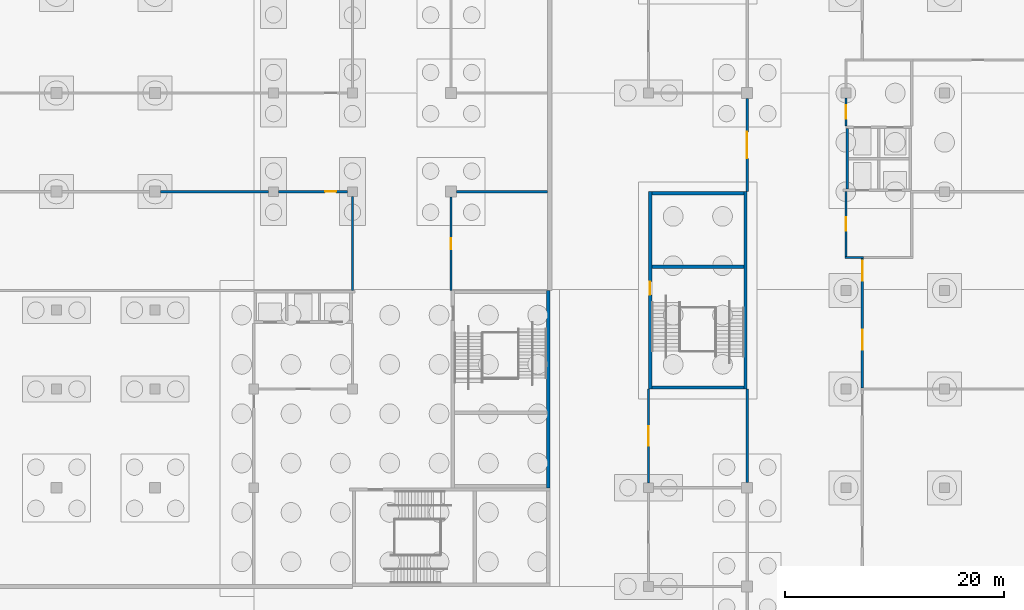
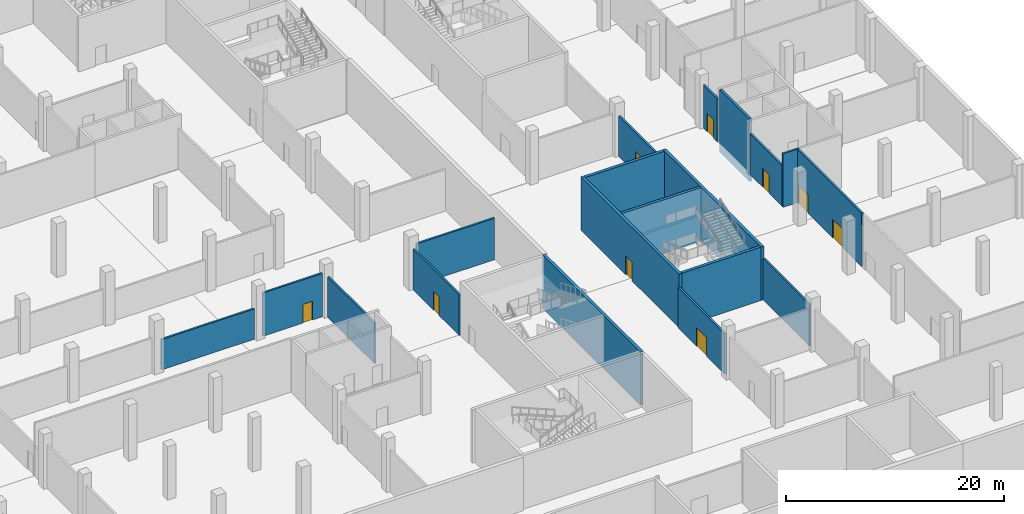
# One storey, part 18 of 42: 19 walls, 9 doors, 9 openings.
"""IFC4 building model written with IfcOpenShell, lengths in metres."""

from ifc_helpers import new_model, si_unit, direction, frame, frame_2d, origin, place, context, subcontext, project, spatial, rectangle, extrude, material, layer, layer_set, type_object, element, fill, save


model = new_model("IFC4")

# Units and contexts
model_context = context("Model", 3, precision=1e-05, world=origin(), true_north=direction((0.0, 1.0)))
body_context = subcontext(model_context, "Body", "Model", "MODEL_VIEW")
ifc_project = project(units=[si_unit("LENGTHUNIT", "METRE"), si_unit("AREAUNIT", "SQUARE_METRE"), si_unit("VOLUMEUNIT", "CUBIC_METRE"), si_unit("PLANEANGLEUNIT", "RADIAN"), si_unit("MASSUNIT", "GRAM", prefix="KILO")], contexts=[model_context])

# Site, building, storey
site_placement = place(None, origin())
site = spatial("IfcSite", under=ifc_project, at=site_placement, CompositionType="ELEMENT")
building_placement = place(site_placement, origin())
building = spatial("IfcBuilding", under=site, at=building_placement, Name="Silverbay Arena", CompositionType="ELEMENT")
storey_placement = place(building_placement, frame((0.0, 0.0, -6.0)))
storey = spatial("IfcBuildingStorey", under=building, at=storey_placement, Name="B1", CompositionType="ELEMENT", Elevation=-6.0)

# Wall, opening, door
ifc_material_1 = material(Name="Concrete Grade C45", Category="concrete")
ifc_layer_1 = layer(ifc_material_1, 0.300048828125)
ifc_layer_set_1 = layer_set([ifc_layer_1], Name="Concrete Grade C45")
wall_type_1 = type_object("IfcWallType", Name="Core wall RC 300 EI 240", PredefinedType="SHEAR", material=ifc_layer_set_1)
wall_1_placement = place(storey_placement, frame((198.14990234375, 54.0, 0.0), z_axis=(0.0, 0.0, 1.0), x_axis=(0.0, 1.0, 0.0)))
wall_1 = element("IfcWall", 1, at=wall_1_placement, inside=storey, type_object=wall_type_1, Name="Core wall ST-E1 B1 door side", PredefinedType="SHEAR", context=body_context, shape_type="SweptSolid", body=[
    extrude(rectangle(XDim=18.0, YDim=0.300048828125, at=frame_2d((9.0, 0.0))), origin(), (0.0, 0.0, 1.0), 6.0),
])
opening_1_placement = place(wall_1_placement, frame((8.60009765625, 0.0, 0.0)))
opening_1 = element("IfcOpeningElement", 2, at=opening_1_placement, cuts=wall_1, Name="Opening B1-086", PredefinedType="OPENING", context=body_context, shape_type="SweptSolid", body=[
    extrude(rectangle(XDim=1.199951171875, YDim=2.10009765625, at=frame_2d((0.60009765625, 1.050048828125))), frame((0.0, 0.16015625, 0.0), z_axis=(0.0, -1.0, 0.0), x_axis=(1.0, 0.0, 0.0)), (0.0, 0.0, 1.0), 0.320068359375),
])
ifc_material_2 = material(Name="Steel fire door", Category="steel")
door_type_1 = type_object("IfcDoorType", Name="Stair door 1200 x 2100 fire door", OperationType="SINGLE_SWING_LEFT", PredefinedType="DOOR", material=ifc_material_2)
door_1_placement = place(opening_1_placement, frame((1.199951171875, 0.0, 0.0), z_axis=(0.0, 0.0, 1.0), x_axis=(-1.0, 0.0, 0.0)))
door_1 = element("IfcDoor", 3, at=door_1_placement, inside=storey, type_object=door_type_1, Name="Stair door ST-E1 B1", OperationType="SINGLE_SWING_LEFT", OverallHeight=2.10009765625, OverallWidth=1.199951171875, PredefinedType="DOOR", context=body_context, shape_type="SweptSolid", body=[
    extrude(rectangle(XDim=1.199951171875, YDim=2.10009765625, at=frame_2d((0.60009765625, 1.050048828125))), frame((0.0, 0.02490234375, 0.0), z_axis=(0.0, -1.0, 0.0), x_axis=(1.0, 0.0, 0.0)), (0.0, 0.0, 1.0), 0.050048828125),
])
fill(opening_1, door_1)

# Walls
wall_2_placement = place(storey_placement, frame((206.85009765625, 54.0, 0.0), z_axis=(0.0, 0.0, 1.0), x_axis=(0.0, 1.0, 0.0)))
element("IfcWall", 4, at=wall_2_placement, inside=storey, type_object=wall_type_1, Name="Core wall ST-E1 B1 far side", PredefinedType="SHEAR", context=body_context, shape_type="SweptSolid", body=[
    extrude(rectangle(XDim=18.0, YDim=0.300048828125, at=frame_2d((9.0, 0.0))), origin(), (0.0, 0.0, 1.0), 6.0),
])
for number, where, z_axis, x_axis, name in (
    (5, (198.300048828125, 54.14990234375, 0.0), (0.0, 0.0, 1.0), (1.0, 0.0, 0.0), "Core wall ST-E1 B1 end 1"),
    (6, (198.300048828125, 71.85009765625, 0.0), (0.0, 0.0, 1.0), (1.0, 0.0, 0.0), "Core wall ST-E1 B1 end 2"),
    (7, (198.300048828125, 65.14990234375, 0.0), (0.0, 0.0, 1.0), (1.0, 0.0, 0.0), "Core wall ST-E1 B1 stair enclosure"),
):
    element("IfcWall", number, at=place(storey_placement, frame(where, z_axis=z_axis, x_axis=x_axis)), inside=storey, type_object=wall_type_1, Name=name, PredefinedType="SHEAR", context=body_context, shape_type="SweptSolid", body=[
        extrude(rectangle(XDim=8.39990234375, YDim=0.300048828125, at=frame_2d((4.199951171875, 0.0))), origin(), (0.0, 0.0, 1.0), 6.0),
    ])
wall_3_placement = place(storey_placement, frame((188.85009765625, 63.0, 0.0), z_axis=(0.0, 0.0, 1.0), x_axis=(0.0, -1.0, 0.0)))
element("IfcWall", 8, at=wall_3_placement, inside=storey, type_object=wall_type_1, Name="Core wall ST-SE2 B1 far side", PredefinedType="SHEAR", context=body_context, shape_type="SweptSolid", body=[
    extrude(rectangle(XDim=18.0, YDim=0.300048828125, at=frame_2d((9.0, 0.0))), origin(), (0.0, 0.0, 1.0), 6.0),
])
ifc_material_3 = material(Name="Concrete Grade C45", Category="concrete")
ifc_layer_2 = layer(ifc_material_3, 0.25)
ifc_layer_set_2 = layer_set([ifc_layer_2], Name="Concrete Grade C45")
wall_type_2 = type_object("IfcWallType", Name="Lift shaft wall RC 250 EI 240", PredefinedType="SHEAR", material=ifc_layer_set_2)
wall_4_placement = place(storey_placement, frame((216.125, 72.25, -1.0), z_axis=(0.0, 0.0, 1.0), x_axis=(0.0, 1.0, 0.0)))
element("IfcWall", 9, at=wall_4_placement, inside=storey, type_object=wall_type_2, Name="Lift shaft wall LB-EG B1 end", PredefinedType="SHEAR", context=body_context, shape_type="SweptSolid", body=[
    extrude(rectangle(XDim=5.5, YDim=0.25, at=frame_2d((2.75, 0.0))), origin(), (0.0, 0.0, 1.0), 7.0),
])
ifc_material_4 = material(Name="Masonry blockwork partition", Category="masonry")
ifc_layer_3 = layer(ifc_material_4, 0.199951171875)
ifc_layer_set_3 = layer_set([ifc_layer_3], Name="Masonry blockwork partition")
wall_type_3 = type_object("IfcWallType", Name="Partition 200 EI 240", PredefinedType="PARTITIONING", material=ifc_layer_set_3)
wall_5_placement = place(storey_placement, frame((215.89990234375, 66.0, 0.0), z_axis=(0.0, 0.0, 1.0), x_axis=(1.0, 0.0, 0.0)))
element("IfcWall", 10, at=wall_5_placement, inside=storey, type_object=wall_type_3, Name="Partition wall", PredefinedType="PARTITIONING", context=body_context, shape_type="SweptSolid", body=[
    extrude(rectangle(XDim=1.7001953125, YDim=0.199951171875, at=frame_2d((0.85009765625, 0.0))), origin(), (0.0, 0.0, 1.0), 6.0),
])

# Wall, opening, door
wall_6_placement = place(storey_placement, frame((164.25, 72.0, 0.0), z_axis=(0.0, 0.0, 1.0), x_axis=(1.0, 0.0, 0.0)))
wall_6 = element("IfcWall", 11, at=wall_6_placement, inside=storey, type_object=wall_type_3, Name="Partition wall", PredefinedType="PARTITIONING", context=body_context, shape_type="SweptSolid", body=[
    extrude(rectangle(XDim=6.300048828125, YDim=0.199951171875, at=frame_2d((3.14990234375, 0.0))), origin(), (0.0, 0.0, 1.0), 4.85009765625),
])
opening_2_placement = place(wall_6_placement, frame((4.25, 0.0, 0.0)))
opening_2 = element("IfcOpeningElement", 12, at=opening_2_placement, cuts=wall_6, Name="Opening B1-045", PredefinedType="OPENING", context=body_context, shape_type="SweptSolid", body=[
    extrude(rectangle(XDim=1.0, YDim=2.10009765625, at=frame_2d((0.5, 1.050048828125))), frame((0.0, 0.10986328125, 0.0), z_axis=(0.0, -1.0, 0.0), x_axis=(1.0, 0.0, 0.0)), (0.0, 0.0, 1.0), 0.219970703125),
])
ifc_material_5 = material(Name="Steel faced timber", Category="steel")
door_type_2 = type_object("IfcDoorType", Name="Single leaf door 1000 x 2100 FD30S", OperationType="SINGLE_SWING_LEFT", PredefinedType="DOOR", material=ifc_material_5)
door_2_placement = place(opening_2_placement, frame((1.0, 0.0, 0.0), z_axis=(0.0, 0.0, 1.0), x_axis=(-1.0, 0.0, 0.0)))
door_2 = element("IfcDoor", 13, at=door_2_placement, inside=storey, type_object=door_type_2, Name="Door B1-045", OperationType="SINGLE_SWING_LEFT", OverallHeight=2.10009765625, OverallWidth=1.0, PredefinedType="DOOR", context=body_context, shape_type="SweptSolid", body=[
    extrude(rectangle(XDim=1.0, YDim=2.10009765625, at=frame_2d((0.5, 1.050048828125))), frame((0.0, 0.02490234375, 0.0), z_axis=(0.0, -1.0, 0.0), x_axis=(1.0, 0.0, 0.0)), (0.0, 0.0, 1.0), 0.050048828125),
])
fill(opening_2, door_2)

# Walls
wall_7_placement = place(storey_placement, frame((153.5, 72.0, 0.0), z_axis=(0.0, 0.0, 1.0), x_axis=(1.0, 0.0, 0.0)))
element("IfcWall", 14, at=wall_7_placement, inside=storey, type_object=wall_type_3, Name="Partition wall", PredefinedType="PARTITIONING", context=body_context, shape_type="SweptSolid", body=[
    extrude(rectangle(XDim=9.85009765625, YDim=0.199951171875, at=frame_2d((4.925048828125, 0.0))), origin(), (0.0, 0.0, 1.0), 3.39990234375),
])
wall_8_placement = place(storey_placement, frame((180.5, 72.0, 0.0), z_axis=(0.0, 0.0, 1.0), x_axis=(1.0, 0.0, 0.0)))
element("IfcWall", 15, at=wall_8_placement, inside=storey, type_object=wall_type_3, Name="Partition wall", PredefinedType="PARTITIONING", context=body_context, shape_type="SweptSolid", body=[
    extrude(rectangle(XDim=8.300048828125, YDim=0.199951171875, at=frame_2d((4.14990234375, 0.0))), origin(), (0.0, 0.0, 1.0), 4.64990234375),
])
wall_9_placement = place(storey_placement, frame((171.0, 63.0, 0.0), z_axis=(0.0, 0.0, 1.0), x_axis=(0.0, 1.0, 0.0)))
element("IfcWall", 16, at=wall_9_placement, inside=storey, type_object=wall_type_3, Name="Partition wall", PredefinedType="PARTITIONING", context=body_context, shape_type="SweptSolid", body=[
    extrude(rectangle(XDim=8.550048828125, YDim=0.199951171875, at=frame_2d((4.27490234375, 0.0))), origin(), (0.0, 0.0, 1.0), 4.550048828125),
])

# Wall, opening, door
wall_10_placement = place(storey_placement, frame((180.0, 63.0, 0.0), z_axis=(0.0, 0.0, 1.0), x_axis=(0.0, 1.0, 0.0)))
wall_10 = element("IfcWall", 17, at=wall_10_placement, inside=storey, type_object=wall_type_3, Name="Partition wall", PredefinedType="PARTITIONING", context=body_context, shape_type="SweptSolid", body=[
    extrude(rectangle(XDim=8.5, YDim=0.199951171875, at=frame_2d((4.25, 0.0))), origin(), (0.0, 0.0, 1.0), 4.550048828125),
])
opening_3_placement = place(wall_10_placement, frame((3.75, 0.0, 0.0)))
opening_3 = element("IfcOpeningElement", 18, at=opening_3_placement, cuts=wall_10, Name="Opening B1-046", PredefinedType="OPENING", context=body_context, shape_type="SweptSolid", body=[
    extrude(rectangle(XDim=1.0, YDim=2.10009765625, at=frame_2d((0.5, 1.050048828125))), frame((0.0, 0.10986328125, 0.0), z_axis=(0.0, -1.0, 0.0), x_axis=(1.0, 0.0, 0.0)), (0.0, 0.0, 1.0), 0.219970703125),
])
door_3_placement = place(opening_3_placement, frame((1.0, 0.0, 0.0), z_axis=(0.0, 0.0, 1.0), x_axis=(-1.0, 0.0, 0.0)))
door_3 = element("IfcDoor", 19, at=door_3_placement, inside=storey, type_object=door_type_2, Name="Door B1-046", OperationType="SINGLE_SWING_LEFT", OverallHeight=2.10009765625, OverallWidth=1.0, PredefinedType="DOOR", context=body_context, shape_type="SweptSolid", body=[
    extrude(rectangle(XDim=1.0, YDim=2.10009765625, at=frame_2d((0.5, 1.050048828125))), frame((0.0, 0.02490234375, 0.0), z_axis=(0.0, -1.0, 0.0), x_axis=(1.0, 0.0, 0.0)), (0.0, 0.0, 1.0), 0.050048828125),
])
fill(opening_3, door_3)

wall_11_placement = place(storey_placement, frame((198.0, 45.449951171875, 0.0), z_axis=(0.0, 0.0, 1.0), x_axis=(0.0, 1.0, 0.0)))
wall_11 = element("IfcWall", 20, at=wall_11_placement, inside=storey, type_object=wall_type_3, Name="Partition wall", PredefinedType="PARTITIONING", context=body_context, shape_type="SweptSolid", body=[
    extrude(rectangle(XDim=8.550048828125, YDim=0.199951171875, at=frame_2d((4.27490234375, 0.0))), origin(), (0.0, 0.0, 1.0), 4.550048828125),
])
opening_4_placement = place(wall_11_placement, frame((3.375, 0.0, 0.0)))
opening_4 = element("IfcOpeningElement", 21, at=opening_4_placement, cuts=wall_11, Name="Opening B1-017", PredefinedType="OPENING", context=body_context, shape_type="SweptSolid", body=[
    extrude(rectangle(XDim=1.800048828125, YDim=2.10009765625, at=frame_2d((0.89990234375, 1.050048828125))), frame((0.0, 0.10986328125, 0.0), z_axis=(0.0, -1.0, 0.0), x_axis=(1.0, 0.0, 0.0)), (0.0, 0.0, 1.0), 0.219970703125),
])
ifc_material_6 = material(Name="Steel faced timber", Category="steel")
door_type_3 = type_object("IfcDoorType", Name="Double leaf door 1800 x 2100 FD120", OperationType="DOUBLE_DOOR_DOUBLE_SWING", PredefinedType="DOOR", material=ifc_material_6)
door_4_placement = place(opening_4_placement, frame((1.800048828125, 0.0, 0.0), z_axis=(0.0, 0.0, 1.0), x_axis=(-1.0, 0.0, 0.0)))
door_4 = element("IfcDoor", 22, at=door_4_placement, inside=storey, type_object=door_type_3, Name="Door B1-017", OperationType="DOUBLE_DOOR_DOUBLE_SWING", OverallHeight=2.10009765625, OverallWidth=1.800048828125, PredefinedType="DOOR", context=body_context, shape_type="SweptSolid", body=[
    extrude(rectangle(XDim=1.800048828125, YDim=2.10009765625, at=frame_2d((0.89990234375, 1.050048828125))), frame((0.0, 0.02490234375, 0.0), z_axis=(0.0, -1.0, 0.0), x_axis=(1.0, 0.0, 0.0)), (0.0, 0.0, 1.0), 0.050048828125),
])
fill(opening_4, door_4)

# Wall
wall_12_placement = place(storey_placement, frame((207.0, 45.5, 0.0), z_axis=(0.0, 0.0, 1.0), x_axis=(0.0, 1.0, 0.0)))
element("IfcWall", 23, at=wall_12_placement, inside=storey, type_object=wall_type_3, Name="Partition wall", PredefinedType="PARTITIONING", context=body_context, shape_type="SweptSolid", body=[
    extrude(rectangle(XDim=8.5, YDim=0.199951171875, at=frame_2d((4.25, 0.0))), origin(), (0.0, 0.0, 1.0), 4.64990234375),
])

# Wall, opening, door
wall_13_placement = place(storey_placement, frame((207.0, 72.0, 0.0), z_axis=(0.0, 0.0, 1.0), x_axis=(0.0, 1.0, 0.0)))
wall_13 = element("IfcWall", 24, at=wall_13_placement, inside=storey, type_object=wall_type_3, Name="Partition wall", PredefinedType="PARTITIONING", context=body_context, shape_type="SweptSolid", body=[
    extrude(rectangle(XDim=8.5, YDim=0.199951171875, at=frame_2d((4.25, 0.0))), origin(), (0.0, 0.0, 1.0), 4.550048828125),
])
opening_5_placement = place(wall_13_placement, frame((3.050048828125, 0.0, 0.0)))
opening_5 = element("IfcOpeningElement", 25, at=opening_5_placement, cuts=wall_13, Name="Opening B1-058", PredefinedType="OPENING", context=body_context, shape_type="SweptSolid", body=[
    extrude(rectangle(XDim=2.39990234375, YDim=2.39990234375, at=frame_2d((1.199951171875, 1.199951171875))), frame((0.0, 0.10986328125, 0.0), z_axis=(0.0, -1.0, 0.0), x_axis=(1.0, 0.0, 0.0)), (0.0, 0.0, 1.0), 0.219970703125),
])
ifc_material_7 = material(Name="Steel faced timber", Category="steel")
door_type_4 = type_object("IfcDoorType", Name="Double leaf door 2400 x 2400 FD120", OperationType="DOUBLE_DOOR_DOUBLE_SWING", PredefinedType="DOOR", material=ifc_material_7)
door_5_placement = place(opening_5_placement, frame((2.39990234375, 0.0, 0.0), z_axis=(0.0, 0.0, 1.0), x_axis=(-1.0, 0.0, 0.0)))
door_5 = element("IfcDoor", 26, at=door_5_placement, inside=storey, type_object=door_type_4, Name="Door B1-058", OperationType="DOUBLE_DOOR_DOUBLE_SWING", OverallHeight=2.39990234375, OverallWidth=2.39990234375, PredefinedType="DOOR", context=body_context, shape_type="SweptSolid", body=[
    extrude(rectangle(XDim=2.39990234375, YDim=2.39990234375, at=frame_2d((1.199951171875, 1.199951171875))), frame((0.0, 0.02490234375, 0.0), z_axis=(0.0, -1.0, 0.0), x_axis=(1.0, 0.0, 0.0)), (0.0, 0.0, 1.0), 0.050048828125),
])
fill(opening_5, door_5)

wall_14_placement = place(storey_placement, frame((216.0, 66.10009765625, 0.0), z_axis=(0.0, 0.0, 1.0), x_axis=(0.0, 1.0, 0.0)))
wall_14 = element("IfcWall", 27, at=wall_14_placement, inside=storey, type_object=wall_type_3, Name="Partition wall", PredefinedType="PARTITIONING", context=body_context, shape_type="SweptSolid", body=[
    extrude(rectangle(XDim=5.89990234375, YDim=0.199951171875, at=frame_2d((2.949951171875, 0.0))), origin(), (0.0, 0.0, 1.0), 4.550048828125),
])
opening_6_placement = place(wall_14_placement, frame((2.35009765625, 0.0, 0.0)))
opening_6 = element("IfcOpeningElement", 28, at=opening_6_placement, cuts=wall_14, Name="Opening B1-055", PredefinedType="OPENING", context=body_context, shape_type="SweptSolid", body=[
    extrude(rectangle(XDim=1.199951171875, YDim=2.10009765625, at=frame_2d((0.60009765625, 1.050048828125))), frame((0.0, 0.10986328125, 0.0), z_axis=(0.0, -1.0, 0.0), x_axis=(1.0, 0.0, 0.0)), (0.0, 0.0, 1.0), 0.219970703125),
])
ifc_material_8 = material(Name="Steel faced timber", Category="steel")
door_type_5 = type_object("IfcDoorType", Name="Single leaf door 1200 x 2100 FD240", OperationType="SINGLE_SWING_LEFT", PredefinedType="DOOR", material=ifc_material_8)
door_6_placement = place(opening_6_placement, origin())
door_6 = element("IfcDoor", 29, at=door_6_placement, inside=storey, type_object=door_type_5, Name="Door B1-055", OperationType="SINGLE_SWING_LEFT", OverallHeight=2.10009765625, OverallWidth=1.199951171875, PredefinedType="DOOR", context=body_context, shape_type="SweptSolid", body=[
    extrude(rectangle(XDim=1.199951171875, YDim=2.10009765625, at=frame_2d((0.60009765625, 1.050048828125))), frame((0.0, 0.02490234375, 0.0), z_axis=(0.0, -1.0, 0.0), x_axis=(1.0, 0.0, 0.0)), (0.0, 0.0, 1.0), 0.050048828125),
])
fill(opening_6, door_6)

wall_15_placement = place(storey_placement, frame((216.0, 78.0, 0.0), z_axis=(0.0, 0.0, 1.0), x_axis=(0.0, 1.0, 0.0)))
wall_15 = element("IfcWall", 30, at=wall_15_placement, inside=storey, type_object=wall_type_3, Name="Partition wall", PredefinedType="PARTITIONING", context=body_context, shape_type="SweptSolid", body=[
    extrude(rectangle(XDim=2.550048828125, YDim=0.199951171875, at=frame_2d((1.27490234375, 0.0))), origin(), (0.0, 0.0, 1.0), 4.85009765625),
])
opening_7_placement = place(wall_15_placement, frame((0.675048828125, 0.0, 0.0)))
opening_7 = element("IfcOpeningElement", 31, at=opening_7_placement, cuts=wall_15, Name="Opening B1-056", PredefinedType="OPENING", context=body_context, shape_type="SweptSolid", body=[
    extrude(rectangle(XDim=1.199951171875, YDim=2.10009765625, at=frame_2d((0.60009765625, 1.050048828125))), frame((0.0, 0.10986328125, 0.0), z_axis=(0.0, -1.0, 0.0), x_axis=(1.0, 0.0, 0.0)), (0.0, 0.0, 1.0), 0.219970703125),
])
door_7_placement = place(opening_7_placement, origin())
door_7 = element("IfcDoor", 32, at=door_7_placement, inside=storey, type_object=door_type_5, Name="Door B1-056", OperationType="SINGLE_SWING_RIGHT", OverallHeight=2.10009765625, OverallWidth=1.199951171875, PredefinedType="DOOR", context=body_context, shape_type="SweptSolid", body=[
    extrude(rectangle(XDim=1.199951171875, YDim=2.10009765625, at=frame_2d((0.60009765625, 1.050048828125))), frame((0.0, 0.02490234375, 0.0), z_axis=(0.0, -1.0, 0.0), x_axis=(1.0, 0.0, 0.0)), (0.0, 0.0, 1.0), 0.050048828125),
])
fill(opening_7, door_7)

# Wall, openings, doors
wall_16_placement = place(storey_placement, frame((217.5, 54.10009765625, 0.0), z_axis=(0.0, 0.0, 1.0), x_axis=(0.0, 1.0, 0.0)))
wall_16 = element("IfcWall", 33, at=wall_16_placement, inside=storey, type_object=wall_type_3, Name="Partition wall", PredefinedType="PARTITIONING", context=body_context, shape_type="SweptSolid", body=[
    extrude(rectangle(XDim=11.7998046875, YDim=0.199951171875, at=frame_2d((5.89990234375, 0.0))), origin(), (0.0, 0.0, 1.0), 6.0),
])
opening_8_placement = place(wall_16_placement, frame((3.5, 0.0, 0.0)))
opening_8 = element("IfcOpeningElement", 34, at=opening_8_placement, cuts=wall_16, Name="Opening B1-030", PredefinedType="OPENING", context=body_context, shape_type="SweptSolid", body=[
    extrude(rectangle(XDim=1.800048828125, YDim=2.10009765625, at=frame_2d((0.89990234375, 1.050048828125))), frame((0.0, 0.10986328125, 0.0), z_axis=(0.0, -1.0, 0.0), x_axis=(1.0, 0.0, 0.0)), (0.0, 0.0, 1.0), 0.219970703125),
])
opening_9_placement = place(wall_16_placement, frame((9.800048828125, 0.0, 0.0)))
opening_9 = element("IfcOpeningElement", 35, at=opening_9_placement, cuts=wall_16, Name="Opening B1-065", PredefinedType="OPENING", context=body_context, shape_type="SweptSolid", body=[
    extrude(rectangle(XDim=1.800048828125, YDim=2.10009765625, at=frame_2d((0.89990234375, 1.050048828125))), frame((0.0, 0.10986328125, 0.0), z_axis=(0.0, -1.0, 0.0), x_axis=(1.0, 0.0, 0.0)), (0.0, 0.0, 1.0), 0.219970703125),
])
door_8_placement = place(opening_8_placement, frame((1.800048828125, 0.0, 0.0), z_axis=(0.0, 0.0, 1.0), x_axis=(-1.0, 0.0, 0.0)))
door_8 = element("IfcDoor", 36, at=door_8_placement, inside=storey, type_object=door_type_3, Name="Door B1-030", OperationType="DOUBLE_DOOR_DOUBLE_SWING", OverallHeight=2.10009765625, OverallWidth=1.800048828125, PredefinedType="DOOR", context=body_context, shape_type="SweptSolid", body=[
    extrude(rectangle(XDim=1.800048828125, YDim=2.10009765625, at=frame_2d((0.89990234375, 1.050048828125))), frame((0.0, 0.02490234375, 0.0), z_axis=(0.0, -1.0, 0.0), x_axis=(1.0, 0.0, 0.0)), (0.0, 0.0, 1.0), 0.050048828125),
])
fill(opening_8, door_8)
door_9_placement = place(opening_9_placement, frame((1.800048828125, 0.0, 0.0), z_axis=(0.0, 0.0, 1.0), x_axis=(-1.0, 0.0, 0.0)))
door_9 = element("IfcDoor", 37, at=door_9_placement, inside=storey, type_object=door_type_3, Name="Door B1-065", OperationType="DOUBLE_DOOR_DOUBLE_SWING", OverallHeight=2.10009765625, OverallWidth=1.800048828125, PredefinedType="DOOR", context=body_context, shape_type="SweptSolid", body=[
    extrude(rectangle(XDim=1.800048828125, YDim=2.10009765625, at=frame_2d((0.89990234375, 1.050048828125))), frame((0.0, 0.02490234375, 0.0), z_axis=(0.0, -1.0, 0.0), x_axis=(1.0, 0.0, 0.0)), (0.0, 0.0, 1.0), 0.050048828125),
])
fill(opening_9, door_9)

save(model, "model.ifc")
